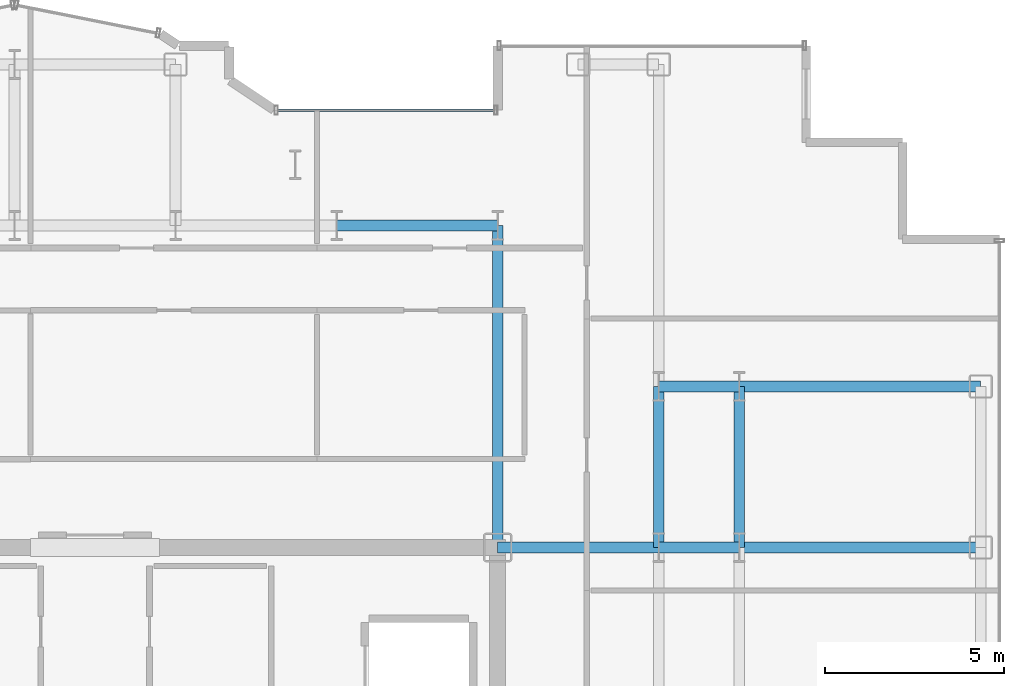
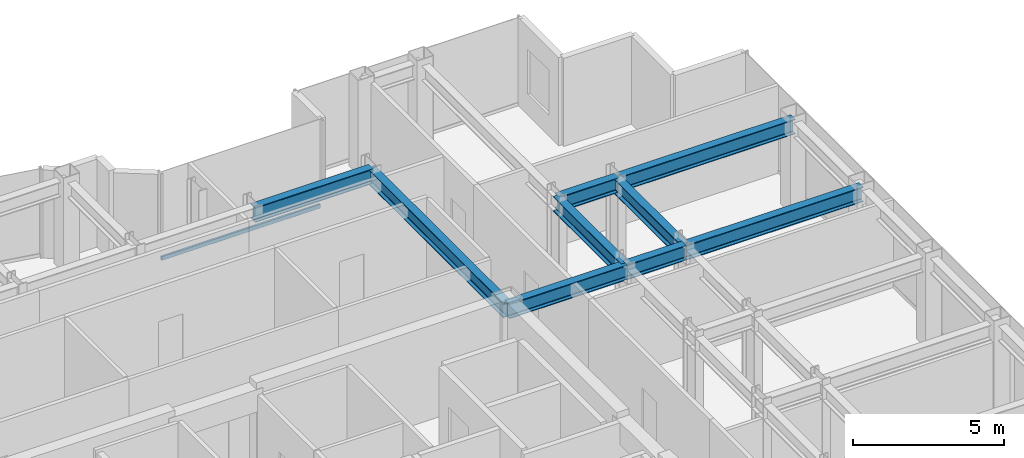
# One storey, part 11 of 20: 9 beams, 1 member, 1 element without a shape of its own.
"""IFC4 building model written with IfcOpenShell, lengths in metres."""

import ifcopenshell
import ifcopenshell.guid

model = None  # the IFC model being written
_history = None  # IfcOwnerHistory: only IFC2X3 demands one
_inside = {}  # id of a spatial element -> (the spatial element, [elements in it])
_under = {}  # id of a project, library or spatial element -> (it, [spatial elements below it])
_declared = {}  # id of a project -> (the project, [libraries it declares])
_typed = {}  # id of a type object -> (the type object, [elements of that type])
_made_of = {}  # id of a material, layer set ... -> (it, [elements and type objects made of it])


def new_model(schema):
    """Start an empty IFC model of exactly this schema.

    Asked for "IFC4X3", IfcOpenShell would pick the latest addendum, in which some entities
    have other attributes; the version numbers below select the first issue.
    IFC2X3 requires an IfcOwnerHistory on every rooted entity: one is made here for all.
    """
    global model, _history
    if schema == "IFC4X3":
        model = ifcopenshell.file(schema_version=(4, 3, 0, 0))
    else:
        model = ifcopenshell.file(schema=schema)
    _inside.clear()
    _under.clear()
    _declared.clear()
    _typed.clear()
    _made_of.clear()
    _history = None
    if model.schema == "IFC2X3":
        org = make("IfcOrganization", Name="unknown")
        user = make(
            "IfcPersonAndOrganization",
            ThePerson=make("IfcPerson", FamilyName="unknown"),
            TheOrganization=org,
        )
        app = make(
            "IfcApplication",
            ApplicationDeveloper=org,
            Version="unknown",
            ApplicationFullName="unknown",
            ApplicationIdentifier="unknown",
        )
        _history = make(
            "IfcOwnerHistory",
            OwningUser=user,
            OwningApplication=app,
            ChangeAction="ADDED",
            CreationDate=0,
        )
    return model


def make(cls, **values):
    """One entity of the class cls with the attributes given. An attribute that is None is left unset."""
    return model.create_entity(
        cls, **{name: value for name, value in values.items() if value is not None}
    )


def rooted(cls, **values):
    """An entity with a GlobalId (a new one), such as an element, a storey or a relation."""
    return make(cls, GlobalId=ifcopenshell.guid.new(), OwnerHistory=_history, **values)


def si_unit(unit_type, name, prefix=None):
    """IfcSIUnit, for example si_unit("LENGTHUNIT", "METRE", prefix="MILLI")."""
    return make("IfcSIUnit", UnitType=unit_type, Prefix=prefix, Name=name)


def assignment(units):
    """IfcUnitAssignment: the units of a project."""
    return None if units is None else make("IfcUnitAssignment", Units=units)


def point(xyz):
    """IfcCartesianPoint."""
    return None if xyz is None else make("IfcCartesianPoint", Coordinates=xyz)


def direction(xyz):
    """IfcDirection."""
    return None if xyz is None else make("IfcDirection", DirectionRatios=xyz)


def frame(location, z_axis=None, x_axis=None):
    """IfcAxis2Placement3D, a coordinate frame: its origin and axes. An axis left out is left unset."""
    return make(
        "IfcAxis2Placement3D",
        Location=point(location),
        Axis=direction(z_axis),
        RefDirection=direction(x_axis),
    )


def frame_2d(location, x_axis=None):
    """IfcAxis2Placement2D, a coordinate frame in the plane: its origin and x axis."""
    return make(
        "IfcAxis2Placement2D", Location=point(location), RefDirection=direction(x_axis)
    )


def origin():
    """The frame at (0, 0, 0) with its axes left unset."""
    return frame((0.0, 0.0, 0.0))


def origin_2d():
    """The frame at (0, 0) in the plane with its x axis left unset."""
    return frame_2d((0.0, 0.0))


def place(relative_to, where):
    """IfcLocalPlacement: puts the frame where relative to a parent placement (None: the world)."""
    return make(
        "IfcLocalPlacement", PlacementRelTo=relative_to, RelativePlacement=where
    )


def context(
    kind, dimensions, precision=None, world=None, true_north=None, identifier=None
):
    """IfcGeometricRepresentationContext, for example the 3D "Model" context."""
    return make(
        "IfcGeometricRepresentationContext",
        ContextIdentifier=identifier,
        ContextType=kind,
        CoordinateSpaceDimension=dimensions,
        Precision=precision,
        WorldCoordinateSystem=world,
        TrueNorth=true_north,
    )


def subcontext(parent, identifier, kind, view, scale=None):
    """IfcGeometricRepresentationSubContext, for example "Body" below "Model"."""
    return make(
        "IfcGeometricRepresentationSubContext",
        ContextIdentifier=identifier,
        ContextType=kind,
        ParentContext=parent,
        TargetScale=scale,
        TargetView=view,
    )


def project(units=None, contexts=None):
    """IfcProject with its units and contexts."""
    return rooted(
        "IfcProject",
        Name="project",
        RepresentationContexts=contexts,
        UnitsInContext=assignment(units),
    )


def spatial(cls, under=None, at=None, **own):
    """A site, building, storey or space (cls), placed at a placement, below another one or the project."""
    s = rooted(cls, ObjectPlacement=at, **own)
    if under is not None:
        _under.setdefault(under.id(), (under, []))[1].append(s)
    return s


def profile(cls, at=None, kind="AREA", **sizes):
    """A parametric profile (cls). Its sizes go by their IFC names, for example OverallWidth=200.0."""
    return make(cls, ProfileType=kind, Position=at, **sizes)


def hollow_rectangle(**sizes):
    """IfcRectangleHollowProfileDef."""
    return profile("IfcRectangleHollowProfileDef", **sizes)


def i_section(**sizes):
    """IfcIShapeProfileDef."""
    return profile("IfcIShapeProfileDef", **sizes)


def extrude(swept, where, along, depth):
    """IfcExtrudedAreaSolid: the profile swept, set in the frame where, extruded along a direction by depth."""
    return make(
        "IfcExtrudedAreaSolid",
        SweptArea=swept,
        Position=where,
        ExtrudedDirection=direction(along),
        Depth=depth,
    )


def shape(context_of_items, identifier, shape_type, items):
    """IfcShapeRepresentation: the items that make up one representation, for example the "Body"."""
    return make(
        "IfcShapeRepresentation",
        ContextOfItems=context_of_items,
        RepresentationIdentifier=identifier,
        RepresentationType=shape_type,
        Items=items,
    )


def source(mapping_origin, context_of_items, identifier, shape_type, items):
    """IfcRepresentationMap: a shape defined once, which mapped items show again and again."""
    return make(
        "IfcRepresentationMap",
        MappingOrigin=mapping_origin,
        MappedRepresentation=shape(context_of_items, identifier, shape_type, items),
    )


def transform(
    local_origin,
    x_axis=None,
    y_axis=None,
    z_axis=None,
    scale=None,
    scale2=None,
    scale3=None,
    uniform=True,
):
    """IfcCartesianTransformationOperator3D, or its non-uniform kind. x_axis, y_axis, z_axis: its Axis1, 2, 3."""
    if uniform:
        return make(
            "IfcCartesianTransformationOperator3D",
            Axis1=direction(x_axis),
            Axis2=direction(y_axis),
            LocalOrigin=point(local_origin),
            Scale=scale,
            Axis3=direction(z_axis),
        )
    return make(
        "IfcCartesianTransformationOperator3DnonUniform",
        Axis1=direction(x_axis),
        Axis2=direction(y_axis),
        LocalOrigin=point(local_origin),
        Scale=scale,
        Axis3=direction(z_axis),
        Scale2=scale2,
        Scale3=scale3,
    )


def mapped(mapping_source, mapping_target):
    """IfcMappedItem: shows the shape of a source again, moved by a transform."""
    return make(
        "IfcMappedItem", MappingSource=mapping_source, MappingTarget=mapping_target
    )


def material(Name=None, Category=None):
    """IfcMaterial."""
    return make("IfcMaterial", Name=Name, Category=Category)


def layer(
    of_material, thickness, ventilated=None, Name=None, Category=None, Priority=None
):
    """IfcMaterialLayer: one layer of a wall or slab, of a material (None: an air gap)."""
    return make(
        "IfcMaterialLayer",
        Material=of_material,
        LayerThickness=thickness,
        IsVentilated=ventilated,
        Name=Name,
        Category=Category,
        Priority=Priority,
    )


def layer_set(layers, Name=None):
    """IfcMaterialLayerSet."""
    return make("IfcMaterialLayerSet", MaterialLayers=layers, LayerSetName=Name)


def material_profile(
    of_material, cross_section, Name=None, Category=None, Priority=None
):
    """IfcMaterialProfile: a cross section and its material."""
    return make(
        "IfcMaterialProfile",
        Name=Name,
        Material=of_material,
        Profile=cross_section,
        Priority=Priority,
        Category=Category,
    )


def profile_set(profiles, Name=None, composite=None):
    """IfcMaterialProfileSet."""
    return make(
        "IfcMaterialProfileSet",
        Name=Name,
        MaterialProfiles=profiles,
        CompositeProfile=composite,
    )


def made_of(thing, what):
    """Note that an element or type object is made of a material, layer set ...; save() writes the relation."""
    if what is not None:
        _made_of.setdefault(what.id(), (what, []))[1].append(thing)
    return thing


def type_object(cls, material=None, **own):
    """A type object (cls), such as IfcWallType, which elements share."""
    return made_of(rooted(cls, **own), material)


def element(
    cls,
    number,
    at=None,
    inside=None,
    cuts=None,
    type_object=None,
    material=None,
    context=None,
    identifier="Body",
    shape_type=None,
    held_by="IfcProductDefinitionShape",
    body=None,
    shapes=None,
    **own,
):
    """One element of the class cls, such as IfcWall. Its Tag is "e" and its number.

    at: its placement. inside: the storey or other place that contains it. cuts: it is an
    opening in that element (IfcRelVoidsElement). A single representation is given by context,
    identifier, shape_type and body (its items); several are given by shapes. held_by: the class
    of the entity that holds the representations. save() writes the other relations.
    """
    e = rooted(cls, Tag="e%d" % number, ObjectPlacement=at, **own)
    if body is not None:
        shapes = [shape(context, identifier, shape_type, body)]
    if shapes is not None:
        e.Representation = make(held_by, Representations=shapes)
    if inside is not None:
        _inside.setdefault(inside.id(), (inside, []))[1].append(e)
    if cuts is not None:
        rooted(
            "IfcRelVoidsElement", RelatingBuildingElement=cuts, RelatedOpeningElement=e
        )
    if type_object is not None:
        _typed.setdefault(type_object.id(), (type_object, []))[1].append(e)
    return made_of(e, material)


def aggregate(whole, parts):
    """IfcRelAggregates: a whole, such as a stair, and the parts it consists of."""
    return rooted("IfcRelAggregates", RelatingObject=whole, RelatedObjects=parts)


def save(model, path):
    """Write the relations noted so far, then the file.

    IfcRelAggregates (storeys below a building ...), IfcRelContainedInSpatialStructure (elements
    in a storey), IfcRelDefinesByType, IfcRelAssociatesMaterial and IfcRelDeclares: one each for
    every whole, place, type object, material and project.
    """
    for whole, parts in _under.values():
        aggregate(whole, parts)
    for where, things in _inside.values():
        rooted(
            "IfcRelContainedInSpatialStructure",
            RelatedElements=things,
            RelatingStructure=where,
        )
    for kind, things in _typed.values():
        rooted("IfcRelDefinesByType", RelatedObjects=things, RelatingType=kind)
    for what, things in _made_of.values():
        rooted("IfcRelAssociatesMaterial", RelatedObjects=things, RelatingMaterial=what)
    for by, libraries in _declared.values():
        rooted("IfcRelDeclares", RelatingContext=by, RelatedDefinitions=libraries)
    model.write(path)


model = new_model("IFC4")

# Units and contexts
model_context = context("Model", 3, precision=1e-05, world=origin(), true_north=direction((0.0, 1.0)))
body_context = subcontext(model_context, "Body", "Model", "MODEL_VIEW")
ifc_project = project(units=[si_unit("LENGTHUNIT", "METRE"), si_unit("AREAUNIT", "SQUARE_METRE"), si_unit("VOLUMEUNIT", "CUBIC_METRE"), si_unit("PLANEANGLEUNIT", "RADIAN"), si_unit("MASSUNIT", "GRAM", prefix="KILO")], contexts=[model_context])

# Site, building, storey
site_placement = place(None, origin())
site = spatial("IfcSite", under=ifc_project, at=site_placement, CompositionType="ELEMENT")
building_placement = place(site_placement, origin())
building = spatial("IfcBuilding", under=site, at=building_placement, Name="Nefas-Gora Pilgrimage Tower", CompositionType="ELEMENT")
storey_placement = place(building_placement, frame((0.0, 0.0, 237.0)))
storey = spatial("IfcBuildingStorey", under=building, at=storey_placement, Name="L59", CompositionType="ELEMENT", Elevation=237.0)

# Beams
ifc_material_1 = material(Name="Steel S355", Category="steel")
ifc_material_profile_1 = material_profile(ifc_material_1, i_section(OverallWidth=0.300048828125, OverallDepth=0.60009765625, WebThickness=0.015380859375, FlangeThickness=0.030029296875, FilletRadius=0.027099609375, at=origin_2d()), Name="HEB 600")
ifc_profile_set_1 = profile_set([ifc_material_profile_1], Name="Steel S355")
beam_type = type_object("IfcBeamType", Name="BM-GIR-HEB600", PredefinedType="BEAM", material=ifc_profile_set_1)
shared_shape_1 = source(origin(), body_context, "Body", "SweptSolid", [
    extrude(i_section(OverallWidth=0.300048828125, OverallDepth=0.60009765625, WebThickness=0.015380859375, FlangeThickness=0.030029296875, FilletRadius=0.027099609375, at=origin_2d()), origin(), (0.0, 0.0, 1.0), 9.0),
])
beam_placement = place(storey_placement, frame((11.25, 9.0, 3.25), z_axis=(0.0, 1.0, 0.0), x_axis=(-1.0, 0.0, 0.0)))
element("IfcBeam", 1, at=beam_placement, inside=storey, type_object=beam_type, Name="L59 G-04 beam", PredefinedType="BEAM", context=body_context, shape_type="MappedRepresentation", body=[
    mapped(shared_shape_1, transform((0.0, 0.0, 0.0), x_axis=(1.0, 0.0, 0.0), y_axis=(0.0, 1.0, 0.0), z_axis=(0.0, 0.0, 1.0), scale=1.0)),
])
shared_shape_2 = source(origin(), body_context, "Body", "SweptSolid", [
    extrude(i_section(OverallWidth=0.300048828125, OverallDepth=0.60009765625, WebThickness=0.015380859375, FlangeThickness=0.030029296875, FilletRadius=0.027099609375, at=origin_2d()), origin(), (0.0, 0.0, 1.0), 4.5),
])
for number, where, z_axis, x_axis, name in (
    (2, (6.75, 18.0, 3.25), (1.0, 0.0, 0.0), (0.0, 1.0, 0.0), "L59 G-04 beam"),
    (3, (11.25, 9.0, 3.25), (1.0, 0.0, 0.0), (0.0, 1.0, 0.0), "L59 G-04 beam"),
    (4, (15.75, 9.0, 3.25), (0.0, 1.0, 0.0), (-1.0, 0.0, 0.0), "L59 G-04 beam"),
    (5, (18.0, 9.0, 3.25), (0.0, 1.0, 0.0), (-1.0, 0.0, 0.0), "L59 G-04 beam"),
):
    element("IfcBeam", number, at=place(storey_placement, frame(where, z_axis=z_axis, x_axis=x_axis)), inside=storey, type_object=beam_type, Name=name, PredefinedType="BEAM", context=body_context, shape_type="MappedRepresentation", body=[
        mapped(shared_shape_2, transform((0.0, 0.0, 0.0), x_axis=(1.0, 0.0, 0.0), y_axis=(0.0, 1.0, 0.0), z_axis=(0.0, 0.0, 1.0), scale=1.0)),
    ])
shared_shape_3 = source(origin(), body_context, "Body", "SweptSolid", [
    extrude(i_section(OverallWidth=0.300048828125, OverallDepth=0.60009765625, WebThickness=0.015380859375, FlangeThickness=0.030029296875, FilletRadius=0.027099609375, at=origin_2d()), origin(), (0.0, 0.0, 1.0), 6.75),
])
for number, where, z_axis, x_axis, name in (
    (6, (18.0, 9.0, 3.25), (1.0, 0.0, 0.0), (0.0, 1.0, 0.0), "L59 G-04 beam"),
    (7, (18.0, 13.5, 3.25), (1.0, 0.0, 0.0), (0.0, 1.0, 0.0), "L59 G-04 beam"),
):
    element("IfcBeam", number, at=place(storey_placement, frame(where, z_axis=z_axis, x_axis=x_axis)), inside=storey, type_object=beam_type, Name=name, PredefinedType="BEAM", context=body_context, shape_type="MappedRepresentation", body=[
        mapped(shared_shape_3, transform((0.0, 0.0, 0.0), x_axis=(1.0, 0.0, 0.0), y_axis=(0.0, 1.0, 0.0), z_axis=(0.0, 0.0, 1.0), scale=1.0)),
    ])
shared_shape_4 = source(origin(), body_context, "Body", "SweptSolid", [
    extrude(i_section(OverallWidth=0.300048828125, OverallDepth=0.60009765625, WebThickness=0.015380859375, FlangeThickness=0.030029296875, FilletRadius=0.027099609375, at=origin_2d()), origin(), (0.0, 0.0, 1.0), 2.25),
])
for number, where, z_axis, x_axis, name in (
    (8, (15.75, 9.0, 3.25), (1.0, 0.0, 0.0), (0.0, 1.0, 0.0), "L59 G-04 beam"),
    (9, (15.75, 13.5, 3.25), (1.0, 0.0, 0.0), (0.0, 1.0, 0.0), "L59 G-04 beam"),
):
    element("IfcBeam", number, at=place(storey_placement, frame(where, z_axis=z_axis, x_axis=x_axis)), inside=storey, type_object=beam_type, Name=name, PredefinedType="BEAM", context=body_context, shape_type="MappedRepresentation", body=[
        mapped(shared_shape_4, transform((0.0, 0.0, 0.0), x_axis=(1.0, 0.0, 0.0), y_axis=(0.0, 1.0, 0.0), z_axis=(0.0, 0.0, 1.0), scale=1.0)),
    ])

# Curtain wall, member
ifc_material_2 = material(Name="Dark ceramic-fritted solar-control aluminium-glass curtain wall", Category="aluminium")
ifc_layer = layer(ifc_material_2, 0.219970703125)
ifc_layer_set = layer_set([ifc_layer], Name="Dark ceramic-fritted solar-control aluminium-glass curtain wall")
curtain_wall_type = type_object("IfcCurtainWallType", Name="CW-SYS-5", PredefinedType="NOTDEFINED", material=ifc_layer_set)
curtain_wall_placement = place(storey_placement, origin())
curtain_wall = element("IfcCurtainWall", 10, at=curtain_wall_placement, inside=storey, type_object=curtain_wall_type, Name="L59 Unitised Curtain Wall CW5", PredefinedType="NOTDEFINED")
ifc_material_3 = material(Name="Anodised architectural aluminium", Category="aluminium")
ifc_material_profile_2 = material_profile(ifc_material_3, hollow_rectangle(XDim=0.080078125, YDim=0.159912109375, WallThickness=0.00439453125, InnerFilletRadius=0.00439453125, OuterFilletRadius=0.009033203125, at=origin_2d()), Name="ALU TRANSOM 80x160")
ifc_profile_set_2 = profile_set([ifc_material_profile_2], Name="Anodised architectural aluminium")
member_type = type_object("IfcMemberType", Name="CWM-TRN-5", PredefinedType="USERDEFINED", material=ifc_profile_set_2)
shared_shape_5 = source(origin(), body_context, "Body", "SweptSolid", [
    extrude(hollow_rectangle(XDim=0.080078125, YDim=0.159912109375, WallThickness=0.00439453125, InnerFilletRadius=0.00439453125, OuterFilletRadius=0.009033203125, at=origin_2d()), origin(), (0.0, 0.0, 1.0), 6.052001953125),
])
member_placement = place(storey_placement, frame((11.159912109375, 21.219970703125, 0.050048828125), z_axis=(-1.0, 0.0, 0.0), x_axis=(0.0, -1.0, 0.0)))
member = element("IfcMember", 11, at=member_placement, type_object=member_type, Name="CW5 Spandrel Transom", ObjectType="TRANSOM", PredefinedType="USERDEFINED", context=body_context, shape_type="MappedRepresentation", body=[
    mapped(shared_shape_5, transform((0.0, 0.0, 0.0), x_axis=(1.0, 0.0, 0.0), y_axis=(0.0, 1.0, 0.0), z_axis=(0.0, 0.0, 1.0), scale=1.0)),
])
aggregate(curtain_wall, [member])

save(model, "model.ifc")
